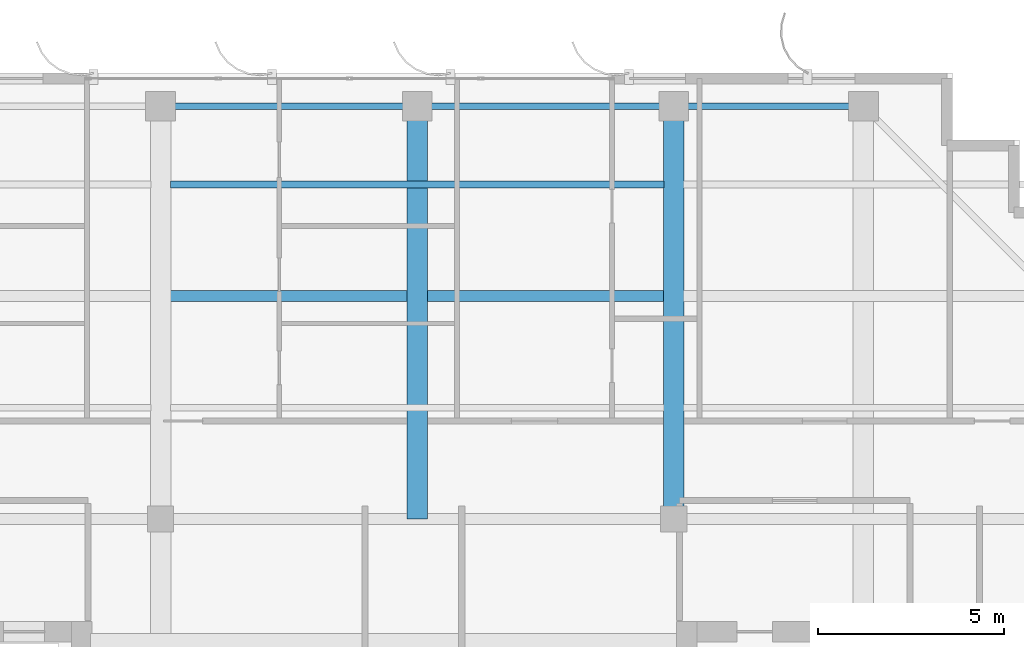
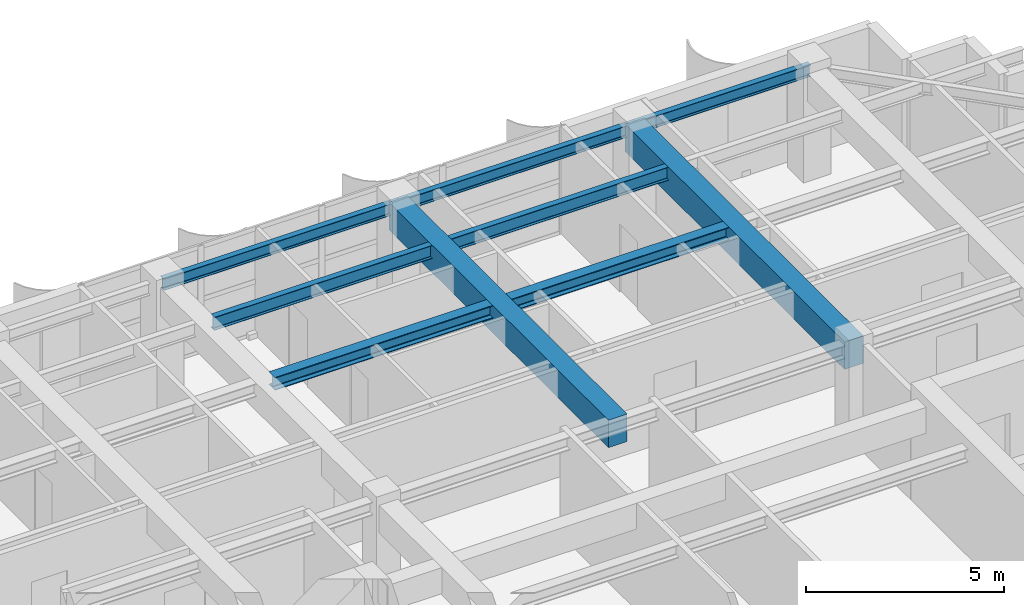
# One storey, part 14 of 22: 7 beams.
"""IFC4 building model written with IfcOpenShell, lengths in metres."""

from ifc_helpers import new_model, si_unit, direction, frame, origin, origin_2d, place, context, subcontext, project, spatial, rectangle, i_section, extrude, source, transform, mapped, material, material_profile, profile_set, type_object, element, save


model = new_model("IFC4")

# Units and contexts
model_context = context("Model", 3, precision=1e-05, world=origin(), true_north=direction((0.0, 1.0)))
body_context = subcontext(model_context, "Body", "Model", "MODEL_VIEW")
ifc_project = project(units=[si_unit("LENGTHUNIT", "METRE"), si_unit("AREAUNIT", "SQUARE_METRE"), si_unit("VOLUMEUNIT", "CUBIC_METRE"), si_unit("PLANEANGLEUNIT", "RADIAN"), si_unit("MASSUNIT", "GRAM", prefix="KILO")], contexts=[model_context])

# Site, building, storey
site_placement = place(None, origin())
site = spatial("IfcSite", under=ifc_project, at=site_placement, CompositionType="ELEMENT")
building_placement = place(site_placement, origin())
building = spatial("IfcBuilding", under=site, at=building_placement, Name="Khoralis Quay Care Tower", CompositionType="ELEMENT")
storey_placement = place(building_placement, frame((0.0, 0.0, 278.10009765625)))
storey = spatial("IfcBuildingStorey", under=building, at=storey_placement, Name="L73", CompositionType="ELEMENT", Elevation=278.10009765625)

# Beams
ifc_material_1 = material(Name="Steel S355", Category="steel")
ifc_material_profile_1 = material_profile(ifc_material_1, i_section(OverallWidth=0.169921875, OverallDepth=0.360107421875, WebThickness=0.008056640625, FlangeThickness=0.0126953125, FilletRadius=0.01806640625, at=origin_2d()), Name="Steel S355")
ifc_profile_set_1 = profile_set([ifc_material_profile_1], Name="Steel S355")
beam_type_1 = type_object("IfcBeamType", Name="BM-IPE360", PredefinedType="SPANDREL", material=ifc_profile_set_1)
shared_shape_1 = source(origin(), body_context, "Body", "SweptSolid", [
    extrude(i_section(OverallWidth=0.169921875, OverallDepth=0.360107421875, WebThickness=0.008056640625, FlangeThickness=0.0126953125, FilletRadius=0.01806640625, at=origin_2d()), origin(), (0.0, 0.0, 1.0), 5.10009765625),
])
beam_1_placement = place(storey_placement, frame((30.89990234375, 41.10009765625, 3.139892578125), z_axis=(1.0, 0.0, 0.0), x_axis=(0.0, 1.0, 0.0)))
element("IfcBeam", 1, at=beam_1_placement, inside=storey, type_object=beam_type_1, Name="BM-TSP-L73-08", PredefinedType="SPANDREL", context=body_context, shape_type="MappedRepresentation", body=[
    mapped(shared_shape_1, transform((0.0, 0.0, 0.0), scale=1.0)),
])
ifc_material_2 = material(Name="Concrete C50/60", Category="concrete")
ifc_material_profile_2 = material_profile(ifc_material_2, rectangle(XDim=0.550048828125, YDim=0.85009765625, at=origin_2d()), Name="Concrete C50/60")
ifc_profile_set_2 = profile_set([ifc_material_profile_2], Name="Concrete C50/60")
beam_type_2 = type_object("IfcBeamType", Name="BM-RC550X850", PredefinedType="BEAM", material=ifc_profile_set_2)
shared_shape_2 = source(origin(), body_context, "Body", "SweptSolid", [
    extrude(rectangle(XDim=0.550048828125, YDim=0.85009765625, at=origin_2d()), origin(), (0.0, 0.0, 1.0), 11.10009765625),
])
for number, where, z_axis, x_axis, name in (
    (2, (24.0, 30.0, 2.89501953125), (0.0, 1.0, 0.0), (-1.0, 0.0, 0.0), "BM-TGYN-L73-240"),
    (3, (30.89990234375, 30.0, 2.89501953125), (0.0, 1.0, 0.0), (-1.0, 0.0, 0.0), "BM-TGYN-L73-309"),
):
    element("IfcBeam", number, at=place(storey_placement, frame(where, z_axis=z_axis, x_axis=x_axis)), inside=storey, type_object=beam_type_2, Name=name, PredefinedType="BEAM", context=body_context, shape_type="MappedRepresentation", body=[
        mapped(shared_shape_2, transform((0.0, 0.0, 0.0), scale=1.0)),
    ])
shared_shape_3 = source(origin(), body_context, "Body", "SweptSolid", [
    extrude(i_section(OverallWidth=0.169921875, OverallDepth=0.360107421875, WebThickness=0.008056640625, FlangeThickness=0.0126953125, FilletRadius=0.01806640625, at=origin_2d()), origin(), (0.0, 0.0, 1.0), 6.89990234375),
])
for number, where, z_axis, x_axis, name in (
    (4, (17.10009765625, 41.10009765625, 3.139892578125), (1.0, 0.0, 0.0), (0.0, 1.0, 0.0), "BM-TSP-L73-06"),
    (5, (24.0, 41.10009765625, 3.139892578125), (1.0, 0.0, 0.0), (0.0, 1.0, 0.0), "BM-TSP-L73-07"),
):
    element("IfcBeam", number, at=place(storey_placement, frame(where, z_axis=z_axis, x_axis=x_axis)), inside=storey, type_object=beam_type_1, Name=name, PredefinedType="SPANDREL", context=body_context, shape_type="MappedRepresentation", body=[
        mapped(shared_shape_3, transform((0.0, 0.0, 0.0), scale=1.0)),
    ])
ifc_material_profile_3 = material_profile(ifc_material_1, i_section(OverallWidth=0.300048828125, OverallDepth=0.39990234375, WebThickness=0.013427734375, FlangeThickness=0.02392578125, FilletRadius=0.027099609375, at=origin_2d()), Name="Steel S355")
ifc_profile_set_3 = profile_set([ifc_material_profile_3], Name="Steel S355")
beam_type_3 = type_object("IfcBeamType", Name="BM-HEB400", PredefinedType="BEAM", material=ifc_profile_set_3)
shared_shape_4 = source(origin(), body_context, "Body", "SweptSolid", [
    extrude(i_section(OverallWidth=0.300048828125, OverallDepth=0.39990234375, WebThickness=0.013427734375, FlangeThickness=0.02392578125, FilletRadius=0.027099609375, at=origin_2d()), origin(), (0.0, 0.0, 1.0), 13.27392578125),
])
beam_2_placement = place(storey_placement, frame((17.363037109375, 36.0, 3.119873046875), z_axis=(1.0, 0.0, 0.0), x_axis=(0.0, 1.0, 0.0)))
element("IfcBeam", 6, at=beam_2_placement, inside=storey, type_object=beam_type_3, Name="BM-TGCC-L73-360", PredefinedType="BEAM", context=body_context, shape_type="MappedRepresentation", body=[
    mapped(shared_shape_4, transform((0.0, 0.0, 0.0), scale=1.0)),
])
ifc_material_profile_4 = material_profile(ifc_material_1, i_section(OverallWidth=0.177978515625, OverallDepth=0.406982421875, WebThickness=0.0078125, FlangeThickness=0.0126953125, FilletRadius=0.012939453125, at=origin_2d()), Name="Steel S355")
ifc_profile_set_4 = profile_set([ifc_material_profile_4], Name="Steel S355")
beam_type_4 = type_object("IfcBeamType", Name="BM-W410X60", PredefinedType="JOIST", material=ifc_profile_set_4)
shared_shape_5 = source(origin(), body_context, "Body", "SweptSolid", [
    extrude(i_section(OverallWidth=0.177978515625, OverallDepth=0.406982421875, WebThickness=0.0078125, FlangeThickness=0.0126953125, FilletRadius=0.012939453125, at=origin_2d()), origin(), (0.0, 0.0, 1.0), 13.27392578125),
])
beam_3_placement = place(storey_placement, frame((17.363037109375, 39.0, 3.116455078125), z_axis=(1.0, 0.0, 0.0), x_axis=(0.0, 1.0, 0.0)))
element("IfcBeam", 7, at=beam_3_placement, inside=storey, type_object=beam_type_4, Name="BM-TJS-L73-29", PredefinedType="JOIST", context=body_context, shape_type="MappedRepresentation", body=[
    mapped(shared_shape_5, transform((0.0, 0.0, 0.0), scale=1.0)),
])

save(model, "model.ifc")
